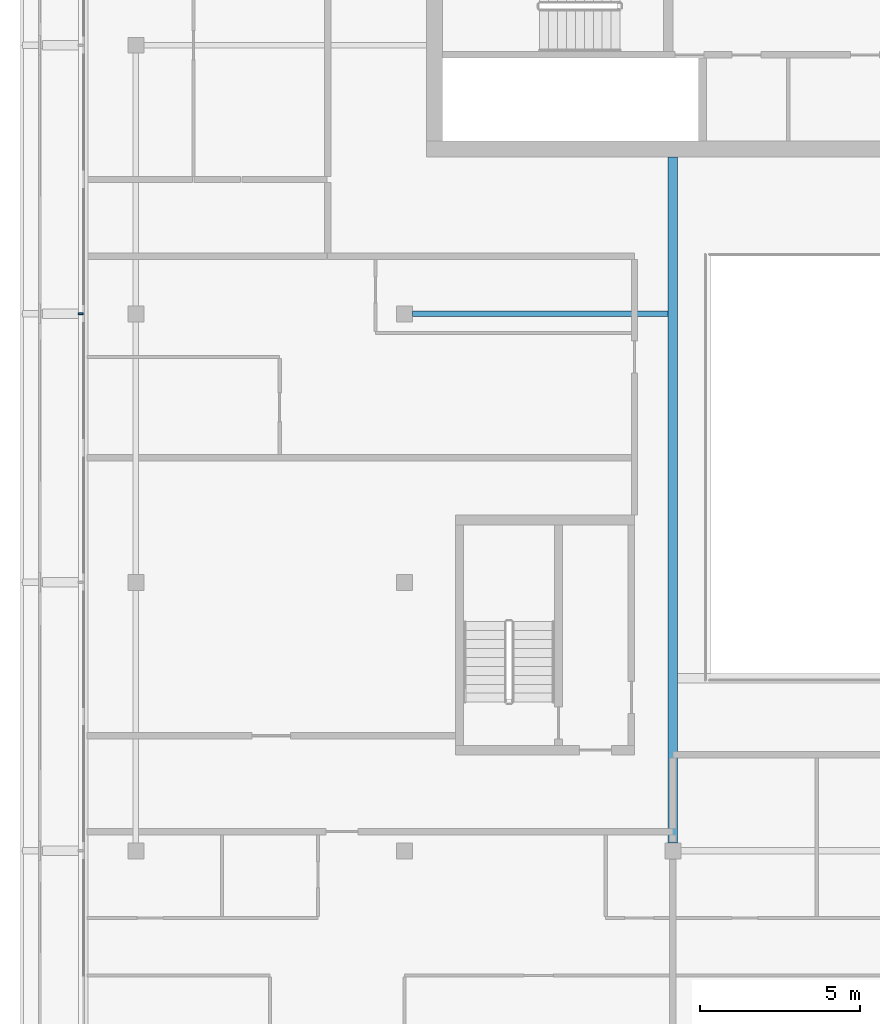
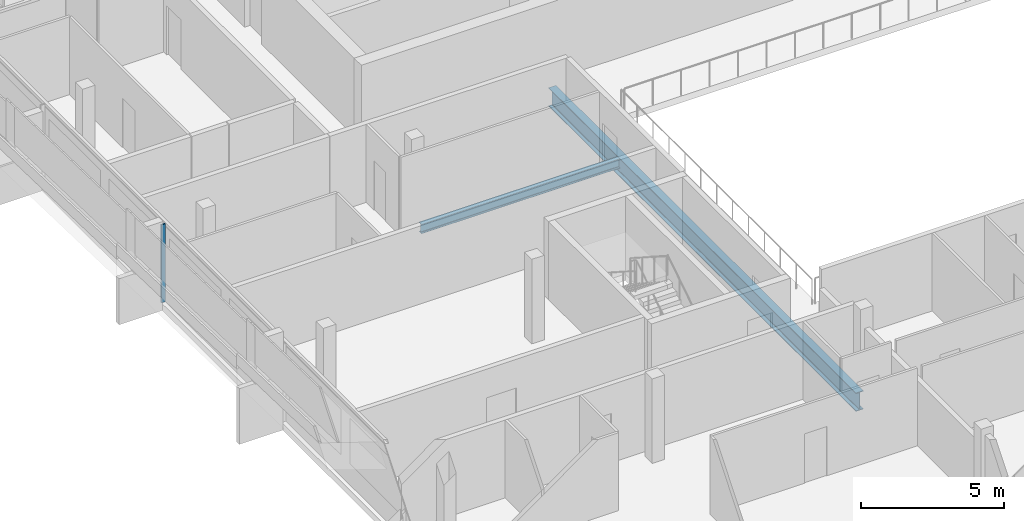
# One storey, part 4 of 26: 2 beams, 1 member, 1 element without a shape of its own.
"""IFC4 building model written with IfcOpenShell, lengths in metres."""

from ifc_helpers import new_model, si_unit, direction, frame, origin, origin_2d, place, context, subcontext, project, spatial, rectangle, i_section, extrude, material, material_profile, profile_set, type_object, element, aggregate, save


model = new_model("IFC4")

# Units and contexts
model_context = context("Model", 3, precision=1e-05, world=origin(), true_north=direction((0.0, 1.0)))
body_context = subcontext(model_context, "Body", "Model", "MODEL_VIEW")
ifc_project = project(units=[si_unit("LENGTHUNIT", "METRE"), si_unit("AREAUNIT", "SQUARE_METRE"), si_unit("VOLUMEUNIT", "CUBIC_METRE"), si_unit("PLANEANGLEUNIT", "RADIAN"), si_unit("MASSUNIT", "GRAM", prefix="KILO")], contexts=[model_context])

# Site, building, storey
site_placement = place(None, origin())
site = spatial("IfcSite", under=ifc_project, at=site_placement, CompositionType="ELEMENT")
building_placement = place(site_placement, origin())
building = spatial("IfcBuilding", under=site, at=building_placement, Name="Saffron Gate Tower", CompositionType="ELEMENT")
storey_placement = place(building_placement, frame((0.0, 0.0, 277.949951171875)))
storey = spatial("IfcBuildingStorey", under=building, at=storey_placement, Name="L67", CompositionType="ELEMENT", Elevation=277.949951171875)

# Beams
ifc_material_1 = material(Name="Structural steel S355", Category="steel")
ifc_material_profile_1 = material_profile(ifc_material_1, i_section(OverallWidth=0.300048828125, OverallDepth=0.7900390625, WebThickness=0.014892578125, FlangeThickness=0.028076171875, FilletRadius=0.030029296875, at=origin_2d()))
ifc_profile_set_1 = profile_set([ifc_material_profile_1], Name="Structural steel S355")
beam_type_1 = type_object("IfcBeamType", Name="B18 HEA 800", PredefinedType="BEAM", material=ifc_profile_set_1)
beam_1_placement = place(storey_placement, frame((75.0, 40.449951171875, -0.675048828125), z_axis=(0.0, 1.0, 0.0), x_axis=(-1.0, 0.0, 0.0)))
element("IfcBeam", 1, at=beam_1_placement, inside=storey, type_object=beam_type_1, Name="B18 ATRIUM GIRDER", PredefinedType="BEAM", context=body_context, shape_type="SweptSolid", body=[
    extrude(i_section(OverallWidth=0.300048828125, OverallDepth=0.7900390625, WebThickness=0.014892578125, FlangeThickness=0.028076171875, FilletRadius=0.030029296875, at=origin_2d()), origin(), (0.0, 0.0, 1.0), 21.449951171875),
])
ifc_material_profile_2 = material_profile(ifc_material_1, i_section(OverallWidth=0.179931640625, OverallDepth=0.39990234375, WebThickness=0.008544921875, FlangeThickness=0.013427734375, FilletRadius=0.02099609375, at=origin_2d()))
ifc_profile_set_2 = profile_set([ifc_material_profile_2], Name="Structural steel S355")
beam_type_2 = type_object("IfcBeamType", Name="B4 IPE 400", PredefinedType="BEAM", material=ifc_profile_set_2)
beam_2_placement = place(storey_placement, frame((66.85009765625, 57.0, -0.47998046875), z_axis=(1.0, 0.0, 0.0), x_axis=(0.0, 1.0, 0.0)))
element("IfcBeam", 2, at=beam_2_placement, inside=storey, type_object=beam_type_2, Name="B4 CORE TIE BEAM", PredefinedType="BEAM", context=body_context, shape_type="SweptSolid", body=[
    extrude(i_section(OverallWidth=0.179931640625, OverallDepth=0.39990234375, WebThickness=0.008544921875, FlangeThickness=0.013427734375, FilletRadius=0.02099609375, at=origin_2d()), origin(), (0.0, 0.0, 1.0), 8.0),
])

# Curtain wall, member
ifc_material_2 = material(Name="Aluminium, bronze anodised", Category="aluminium")
curtain_wall_type = type_object("IfcCurtainWallType", Name="CWS2 curtain wall side facades", PredefinedType="NOTDEFINED", material=ifc_material_2)
curtain_wall_placement = place(storey_placement, origin())
curtain_wall = element("IfcCurtainWall", 3, at=curtain_wall_placement, inside=storey, type_object=curtain_wall_type, Name="CWS2 run 10", PredefinedType="NOTDEFINED")
ifc_material_profile_3 = material_profile(ifc_material_2, rectangle(XDim=0.159912109375, YDim=0.06005859375, at=origin_2d()))
ifc_profile_set_3 = profile_set([ifc_material_profile_3], Name="Aluminium, bronze anodised")
member_type = type_object("IfcMemberType", Name="CWS2 mullion 60x160", PredefinedType="MULLION", material=ifc_profile_set_3)
member_placement = place(storey_placement, frame((56.47998046875, 57.0, 0.0), z_axis=(0.0, 0.0, 1.0), x_axis=(1.0, 0.0, 0.0)))
member = element("IfcMember", 4, at=member_placement, type_object=member_type, Name="CWS2 mullion 3", PredefinedType="MULLION", context=body_context, shape_type="SweptSolid", body=[
    extrude(rectangle(XDim=0.159912109375, YDim=0.06005859375, at=origin_2d()), origin(), (0.0, 0.0, 1.0), 3.320068359375),
])
aggregate(curtain_wall, [member])

save(model, "model.ifc")
